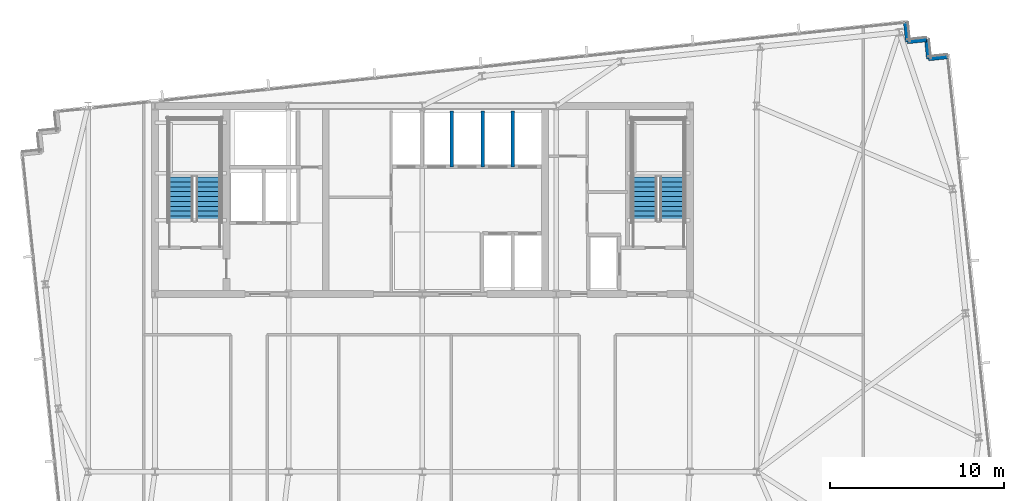
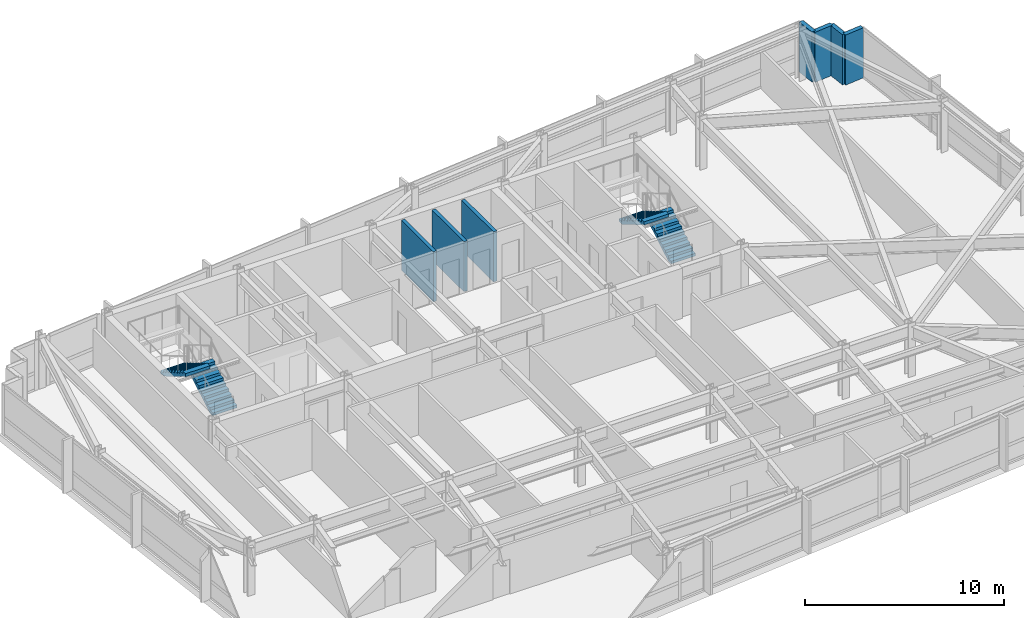
# One storey, part 22 of 26: 7 walls, 4 stair flights, 2 elements without a shape of their own.
"""IFC4 building model written with IfcOpenShell, lengths in metres."""

from ifc_helpers import new_model, si_unit, direction, frame, frame_2d, origin, place, context, subcontext, project, spatial, polyline, rectangle, outline, extrude, material, layer, layer_set, type_object, element, aggregate, save


model = new_model("IFC4")

# Units and contexts
model_context = context("Model", 3, precision=1e-05, world=origin(), true_north=direction((0.0, 1.0)))
body_context = subcontext(model_context, "Body", "Model", "MODEL_VIEW")
ifc_project = project(units=[si_unit("LENGTHUNIT", "METRE"), si_unit("AREAUNIT", "SQUARE_METRE"), si_unit("VOLUMEUNIT", "CUBIC_METRE"), si_unit("PLANEANGLEUNIT", "RADIAN"), si_unit("MASSUNIT", "GRAM", prefix="KILO")], contexts=[model_context])

# Site, building, storey
site_placement = place(None, origin())
site = spatial("IfcSite", under=ifc_project, at=site_placement, CompositionType="ELEMENT")
building_placement = place(site_placement, origin())
building = spatial("IfcBuilding", under=site, at=building_placement, Name="Yelkora Congress Tower", CompositionType="ELEMENT")
storey_placement = place(building_placement, frame((0.0, 0.0, 204.5)))
storey = spatial("IfcBuildingStorey", under=building, at=storey_placement, Name="L56", CompositionType="ELEMENT", Elevation=204.5)

# Walls
ifc_material_1 = material(Name="Concrete C40/50", Category="concrete")
ifc_layer_1 = layer(ifc_material_1, 0.239990234375)
ifc_layer_set_1 = layer_set([ifc_layer_1], Name="Concrete C40/50")
wall_type_1 = type_object("IfcWallType", Name="WALL-EXT-LIMESTONE-240", PredefinedType="SOLIDWALL", material=ifc_layer_set_1)
for number, where, z_axis, x_axis, name in (
    (1, (66.150390625, 50.986572265625, 0.0), (0.0, 0.0, 1.0), (0.104534592565, -0.994521251134, 0.0), "L56 Serrated Corner Limestone Pier 11"),
    (2, (66.265380859375, 49.892578125, 0.0), (0.0, 0.0, 1.0), (0.994521251134, 0.104534592565, 0.0), "L56 Serrated Corner Limestone Pier 12"),
    (3, (67.359375, 50.007568359375, 0.0), (0.0, 0.0, 1.0), (0.104534592565, -0.994521251134, 0.0), "L56 Serrated Corner Limestone Pier 13"),
    (4, (67.474365234375, 48.91357421875, 0.0), (0.0, 0.0, 1.0), (0.994521251134, 0.104534592565, 0.0), "L56 Serrated Corner Limestone Pier 14"),
):
    element("IfcWall", number, at=place(storey_placement, frame(where, z_axis=z_axis, x_axis=x_axis)), inside=storey, type_object=wall_type_1, Name=name, PredefinedType="SOLIDWALL", context=body_context, shape_type="SweptSolid", body=[
        extrude(rectangle(XDim=1.10009765625, YDim=0.239990234375, at=frame_2d((0.550048828125, 0.0))), origin(), (0.0, 0.0, 1.0), 3.080078125),
    ])
ifc_material_2 = material(Name="Autoclaved aerated concrete blockwork", Category="masonry")
ifc_layer_2 = layer(ifc_material_2, 0.199951171875)
ifc_layer_set_2 = layer_set([ifc_layer_2], Name="Autoclaved aerated concrete blockwork")
wall_type_2 = type_object("IfcWallType", Name="WALL-INT-200-R120", PredefinedType="PARTITIONING", material=ifc_layer_set_2)
for number, where, z_axis, x_axis, name in (
    (5, (40.10009765625, 42.699951171875, 0.0), (0.0, 0.0, 1.0), (0.0, 1.0, 0.0), "L56 Partition Wall 10"),
    (6, (43.60009765625, 42.699951171875, 0.0), (0.0, 0.0, 1.0), (0.0, 1.0, 0.0), "L56 Partition Wall 16"),
    (7, (41.8798828125, 42.699951171875, 0.0), (0.0, 0.0, 1.0), (0.0, 1.0, 0.0), "L56 Partition Wall 18"),
):
    element("IfcWall", number, at=place(storey_placement, frame(where, z_axis=z_axis, x_axis=x_axis)), inside=storey, type_object=wall_type_2, Name=name, PredefinedType="PARTITIONING", context=body_context, shape_type="SweptSolid", body=[
        extrude(rectangle(XDim=3.219970703125, YDim=0.199951171875, at=frame_2d((1.60986328125, 0.0))), origin(), (0.0, 0.0, 1.0), 3.080078125),
    ])

# Stair, stair flights
stair_type = type_object("IfcStairType", Name="STAIR-HT-1420-R20-165", PredefinedType="HALF_TURN_STAIR", material=ifc_material_1)
stair_1_placement = place(storey_placement, origin())
stair_1 = element("IfcStair", 8, at=stair_1_placement, inside=storey, type_object=stair_type, Name="West Core Protected Exit Stair ST-01 (L56)", PredefinedType="HALF_TURN_STAIR")
stair_flight_type = type_object("IfcStairFlightType", Name="FLIGHT-1420-N10-R165-G280", PredefinedType="STRAIGHT", material=ifc_material_1)
stair_flight_1_placement = place(storey_placement, frame((26.110107421875, 39.60009765625, 0.0), z_axis=(0.0, 0.0, 1.0), x_axis=(0.0, 1.0, 0.0)))
stair_flight_1 = element("IfcStairFlight", 9, at=stair_flight_1_placement, type_object=stair_flight_type, Name="ST-01 L56 Flight 1", NumberOfRisers=10, NumberOfTreads=9, PredefinedType="STRAIGHT", RiserHeight=0.165, TreadLength=0.28, context=body_context, shape_type="SweptSolid", body=[
    extrude(outline(polyline([(0.0, 0.0), (0.0, 0.1650390625), (0.280029296875, 0.1650390625), (0.280029296875, 0.330078125), (0.56005859375, 0.330078125), (0.56005859375, 0.4951171875), (0.840087890625, 0.4951171875), (0.840087890625, 0.659912109375), (1.1201171875, 0.659912109375), (1.1201171875, 0.824951171875), (1.39990234375, 0.824951171875), (1.39990234375, 0.989990234375), (1.679931640625, 0.989990234375), (1.679931640625, 1.155029296875), (1.9599609375, 1.155029296875), (1.9599609375, 1.320068359375), (2.239990234375, 1.320068359375), (2.239990234375, 1.485107421875), (2.52001953125, 1.485107421875), (2.52001953125, 1.64990234375), (2.52001953125, 1.29931640625), (0.31494140625, 0.0), (0.0, 0.0)])), frame((0.0, 0.7099609375, 0.0), z_axis=(0.0, -1.0, 0.0), x_axis=(1.0, 0.0, 0.0)), (0.0, 0.0, 1.0), 1.419921875),
])
stair_flight_2_placement = place(storey_placement, frame((24.530029296875, 42.1201171875, 1.64990234375), z_axis=(0.0, 0.0, 1.0), x_axis=(0.0, -1.0, 0.0)))
stair_flight_2 = element("IfcStairFlight", 10, at=stair_flight_2_placement, type_object=stair_flight_type, Name="ST-01 L56 Flight 2", NumberOfRisers=10, NumberOfTreads=9, PredefinedType="STRAIGHT", RiserHeight=0.165, TreadLength=0.28, context=body_context, shape_type="SweptSolid", body=[
    extrude(outline(polyline([(0.0, 0.0), (0.0, 0.1650390625), (0.280029296875, 0.1650390625), (0.280029296875, 0.330078125), (0.56005859375, 0.330078125), (0.56005859375, 0.4951171875), (0.840087890625, 0.4951171875), (0.840087890625, 0.659912109375), (1.1201171875, 0.659912109375), (1.1201171875, 0.824951171875), (1.39990234375, 0.824951171875), (1.39990234375, 0.989990234375), (1.679931640625, 0.989990234375), (1.679931640625, 1.155029296875), (1.9599609375, 1.155029296875), (1.9599609375, 1.320068359375), (2.239990234375, 1.320068359375), (2.239990234375, 1.485107421875), (2.52001953125, 1.485107421875), (2.52001953125, 1.64990234375), (2.52001953125, 1.29931640625), (0.31494140625, 0.0), (0.0, 0.0)])), frame((0.0, 0.7099609375, 0.0), z_axis=(0.0, -1.0, 0.0), x_axis=(1.0, 0.0, 0.0)), (0.0, 0.0, 1.0), 1.419921875),
])
aggregate(stair_1, [stair_flight_1, stair_flight_2])

stair_2_placement = place(storey_placement, origin())
stair_2 = element("IfcStair", 11, at=stair_2_placement, inside=storey, type_object=stair_type, Name="East Core Protected Exit Stair ST-02 (L56)", PredefinedType="HALF_TURN_STAIR")
stair_flight_3_placement = place(storey_placement, frame((52.75, 39.60009765625, 0.0), z_axis=(0.0, 0.0, 1.0), x_axis=(0.0, 1.0, 0.0)))
stair_flight_3 = element("IfcStairFlight", 12, at=stair_flight_3_placement, type_object=stair_flight_type, Name="ST-02 L56 Flight 1", NumberOfRisers=10, NumberOfTreads=9, PredefinedType="STRAIGHT", RiserHeight=0.165, TreadLength=0.28, context=body_context, shape_type="SweptSolid", body=[
    extrude(outline(polyline([(0.0, 0.0), (0.0, 0.1650390625), (0.280029296875, 0.1650390625), (0.280029296875, 0.330078125), (0.56005859375, 0.330078125), (0.56005859375, 0.4951171875), (0.840087890625, 0.4951171875), (0.840087890625, 0.659912109375), (1.1201171875, 0.659912109375), (1.1201171875, 0.824951171875), (1.39990234375, 0.824951171875), (1.39990234375, 0.989990234375), (1.679931640625, 0.989990234375), (1.679931640625, 1.155029296875), (1.9599609375, 1.155029296875), (1.9599609375, 1.320068359375), (2.239990234375, 1.320068359375), (2.239990234375, 1.485107421875), (2.52001953125, 1.485107421875), (2.52001953125, 1.64990234375), (2.52001953125, 1.29931640625), (0.31494140625, 0.0), (0.0, 0.0)])), frame((0.0, 0.7099609375, 0.0), z_axis=(0.0, -1.0, 0.0), x_axis=(1.0, 0.0, 0.0)), (0.0, 0.0, 1.0), 1.419921875),
])
stair_flight_4_placement = place(storey_placement, frame((51.169921875, 42.1201171875, 1.64990234375), z_axis=(0.0, 0.0, 1.0), x_axis=(0.0, -1.0, 0.0)))
stair_flight_4 = element("IfcStairFlight", 13, at=stair_flight_4_placement, type_object=stair_flight_type, Name="ST-02 L56 Flight 2", NumberOfRisers=10, NumberOfTreads=9, PredefinedType="STRAIGHT", RiserHeight=0.165, TreadLength=0.28, context=body_context, shape_type="SweptSolid", body=[
    extrude(outline(polyline([(0.0, 0.0), (0.0, 0.1650390625), (0.280029296875, 0.1650390625), (0.280029296875, 0.330078125), (0.56005859375, 0.330078125), (0.56005859375, 0.4951171875), (0.840087890625, 0.4951171875), (0.840087890625, 0.659912109375), (1.1201171875, 0.659912109375), (1.1201171875, 0.824951171875), (1.39990234375, 0.824951171875), (1.39990234375, 0.989990234375), (1.679931640625, 0.989990234375), (1.679931640625, 1.155029296875), (1.9599609375, 1.155029296875), (1.9599609375, 1.320068359375), (2.239990234375, 1.320068359375), (2.239990234375, 1.485107421875), (2.52001953125, 1.485107421875), (2.52001953125, 1.64990234375), (2.52001953125, 1.29931640625), (0.31494140625, 0.0), (0.0, 0.0)])), frame((0.0, 0.7099609375, 0.0), z_axis=(0.0, -1.0, 0.0), x_axis=(1.0, 0.0, 0.0)), (0.0, 0.0, 1.0), 1.419921875),
])
aggregate(stair_2, [stair_flight_3, stair_flight_4])

save(model, "model.ifc")
